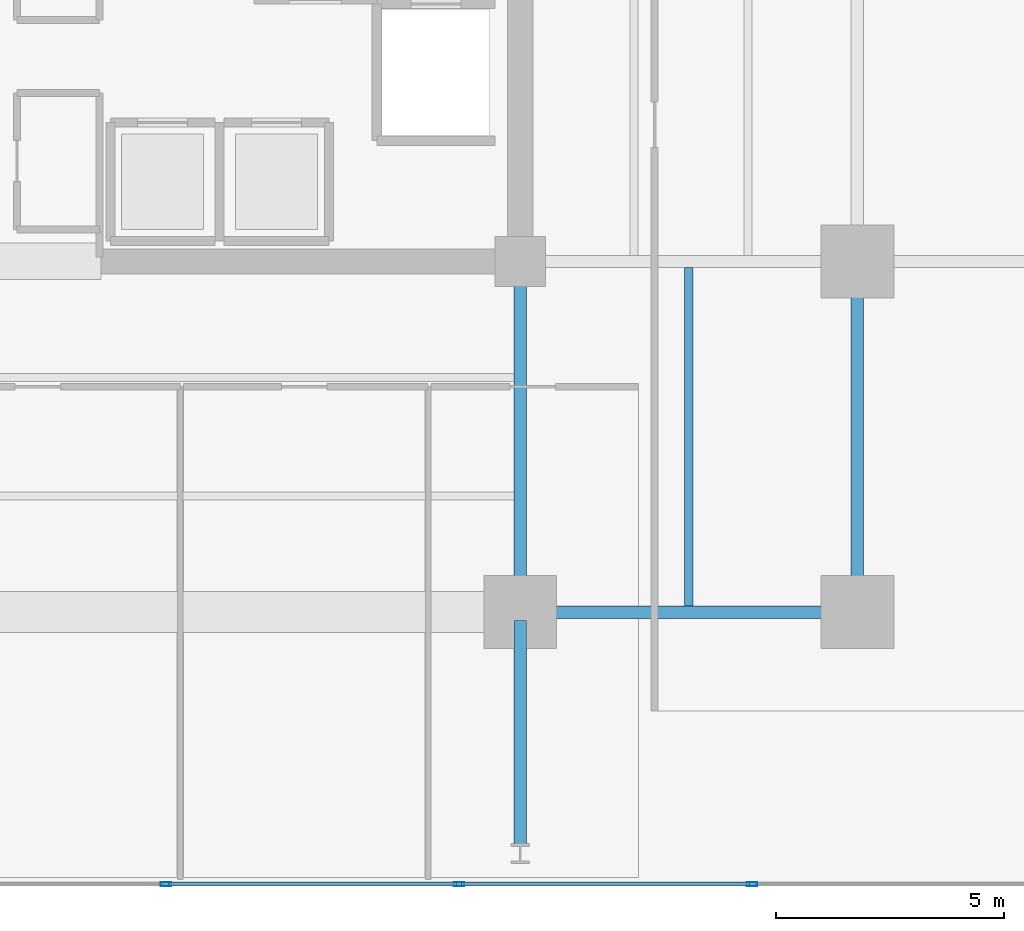
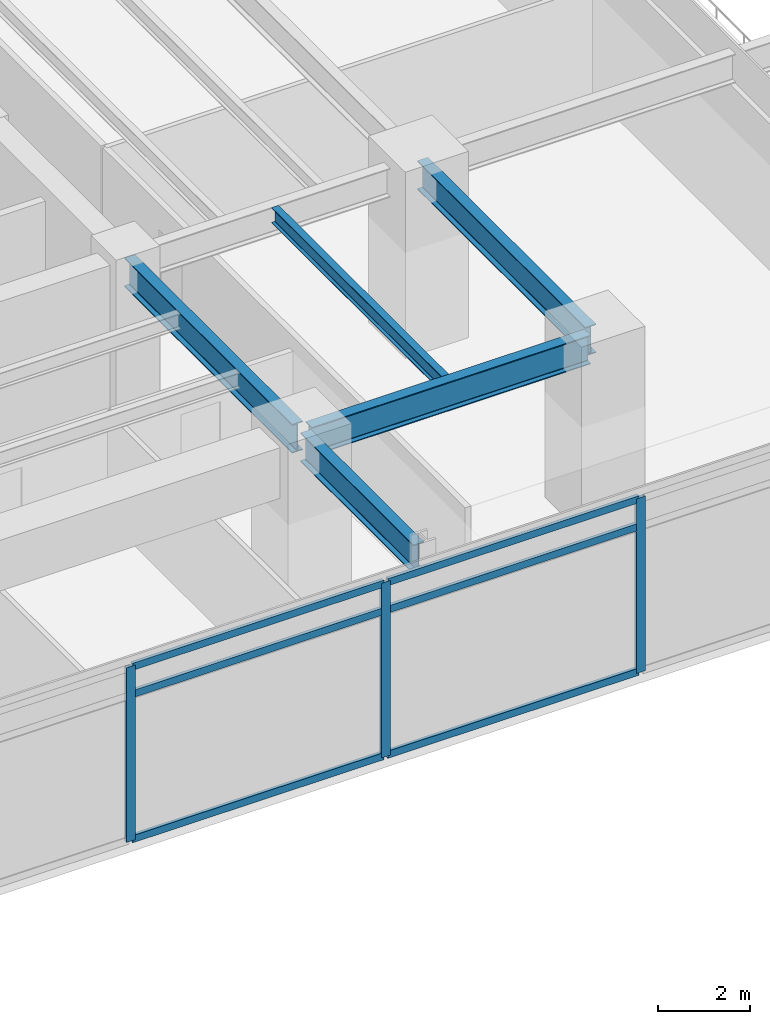
# One storey, part 5 of 24: 9 members, 5 beams, 1 element without a shape of its own.
"""IFC4 building model written with IfcOpenShell, lengths in metres."""

import ifcopenshell
import ifcopenshell.guid

model = None  # the IFC model being written
_history = None  # IfcOwnerHistory: only IFC2X3 demands one
_inside = {}  # id of a spatial element -> (the spatial element, [elements in it])
_under = {}  # id of a project, library or spatial element -> (it, [spatial elements below it])
_declared = {}  # id of a project -> (the project, [libraries it declares])
_typed = {}  # id of a type object -> (the type object, [elements of that type])
_made_of = {}  # id of a material, layer set ... -> (it, [elements and type objects made of it])


def new_model(schema):
    """Start an empty IFC model of exactly this schema.

    Asked for "IFC4X3", IfcOpenShell would pick the latest addendum, in which some entities
    have other attributes; the version numbers below select the first issue.
    IFC2X3 requires an IfcOwnerHistory on every rooted entity: one is made here for all.
    """
    global model, _history
    if schema == "IFC4X3":
        model = ifcopenshell.file(schema_version=(4, 3, 0, 0))
    else:
        model = ifcopenshell.file(schema=schema)
    _inside.clear()
    _under.clear()
    _declared.clear()
    _typed.clear()
    _made_of.clear()
    _history = None
    if model.schema == "IFC2X3":
        org = make("IfcOrganization", Name="unknown")
        user = make(
            "IfcPersonAndOrganization",
            ThePerson=make("IfcPerson", FamilyName="unknown"),
            TheOrganization=org,
        )
        app = make(
            "IfcApplication",
            ApplicationDeveloper=org,
            Version="unknown",
            ApplicationFullName="unknown",
            ApplicationIdentifier="unknown",
        )
        _history = make(
            "IfcOwnerHistory",
            OwningUser=user,
            OwningApplication=app,
            ChangeAction="ADDED",
            CreationDate=0,
        )
    return model


def make(cls, **values):
    """One entity of the class cls with the attributes given. An attribute that is None is left unset."""
    return model.create_entity(
        cls, **{name: value for name, value in values.items() if value is not None}
    )


def rooted(cls, **values):
    """An entity with a GlobalId (a new one), such as an element, a storey or a relation."""
    return make(cls, GlobalId=ifcopenshell.guid.new(), OwnerHistory=_history, **values)


def si_unit(unit_type, name, prefix=None):
    """IfcSIUnit, for example si_unit("LENGTHUNIT", "METRE", prefix="MILLI")."""
    return make("IfcSIUnit", UnitType=unit_type, Prefix=prefix, Name=name)


def assignment(units):
    """IfcUnitAssignment: the units of a project."""
    return None if units is None else make("IfcUnitAssignment", Units=units)


def point(xyz):
    """IfcCartesianPoint."""
    return None if xyz is None else make("IfcCartesianPoint", Coordinates=xyz)


def direction(xyz):
    """IfcDirection."""
    return None if xyz is None else make("IfcDirection", DirectionRatios=xyz)


def frame(location, z_axis=None, x_axis=None):
    """IfcAxis2Placement3D, a coordinate frame: its origin and axes. An axis left out is left unset."""
    return make(
        "IfcAxis2Placement3D",
        Location=point(location),
        Axis=direction(z_axis),
        RefDirection=direction(x_axis),
    )


def frame_2d(location, x_axis=None):
    """IfcAxis2Placement2D, a coordinate frame in the plane: its origin and x axis."""
    return make(
        "IfcAxis2Placement2D", Location=point(location), RefDirection=direction(x_axis)
    )


def origin():
    """The frame at (0, 0, 0) with its axes left unset."""
    return frame((0.0, 0.0, 0.0))


def origin_2d():
    """The frame at (0, 0) in the plane with its x axis left unset."""
    return frame_2d((0.0, 0.0))


def place(relative_to, where):
    """IfcLocalPlacement: puts the frame where relative to a parent placement (None: the world)."""
    return make(
        "IfcLocalPlacement", PlacementRelTo=relative_to, RelativePlacement=where
    )


def context(
    kind, dimensions, precision=None, world=None, true_north=None, identifier=None
):
    """IfcGeometricRepresentationContext, for example the 3D "Model" context."""
    return make(
        "IfcGeometricRepresentationContext",
        ContextIdentifier=identifier,
        ContextType=kind,
        CoordinateSpaceDimension=dimensions,
        Precision=precision,
        WorldCoordinateSystem=world,
        TrueNorth=true_north,
    )


def subcontext(parent, identifier, kind, view, scale=None):
    """IfcGeometricRepresentationSubContext, for example "Body" below "Model"."""
    return make(
        "IfcGeometricRepresentationSubContext",
        ContextIdentifier=identifier,
        ContextType=kind,
        ParentContext=parent,
        TargetScale=scale,
        TargetView=view,
    )


def project(units=None, contexts=None):
    """IfcProject with its units and contexts."""
    return rooted(
        "IfcProject",
        Name="project",
        RepresentationContexts=contexts,
        UnitsInContext=assignment(units),
    )


def spatial(cls, under=None, at=None, **own):
    """A site, building, storey or space (cls), placed at a placement, below another one or the project."""
    s = rooted(cls, ObjectPlacement=at, **own)
    if under is not None:
        _under.setdefault(under.id(), (under, []))[1].append(s)
    return s


def profile(cls, at=None, kind="AREA", **sizes):
    """A parametric profile (cls). Its sizes go by their IFC names, for example OverallWidth=200.0."""
    return make(cls, ProfileType=kind, Position=at, **sizes)


def hollow_rectangle(**sizes):
    """IfcRectangleHollowProfileDef."""
    return profile("IfcRectangleHollowProfileDef", **sizes)


def i_section(**sizes):
    """IfcIShapeProfileDef."""
    return profile("IfcIShapeProfileDef", **sizes)


def extrude(swept, where, along, depth):
    """IfcExtrudedAreaSolid: the profile swept, set in the frame where, extruded along a direction by depth."""
    return make(
        "IfcExtrudedAreaSolid",
        SweptArea=swept,
        Position=where,
        ExtrudedDirection=direction(along),
        Depth=depth,
    )


def shape(context_of_items, identifier, shape_type, items):
    """IfcShapeRepresentation: the items that make up one representation, for example the "Body"."""
    return make(
        "IfcShapeRepresentation",
        ContextOfItems=context_of_items,
        RepresentationIdentifier=identifier,
        RepresentationType=shape_type,
        Items=items,
    )


def material(Name=None, Category=None):
    """IfcMaterial."""
    return make("IfcMaterial", Name=Name, Category=Category)


def material_profile(
    of_material, cross_section, Name=None, Category=None, Priority=None
):
    """IfcMaterialProfile: a cross section and its material."""
    return make(
        "IfcMaterialProfile",
        Name=Name,
        Material=of_material,
        Profile=cross_section,
        Priority=Priority,
        Category=Category,
    )


def profile_set(profiles, Name=None, composite=None):
    """IfcMaterialProfileSet."""
    return make(
        "IfcMaterialProfileSet",
        Name=Name,
        MaterialProfiles=profiles,
        CompositeProfile=composite,
    )


def made_of(thing, what):
    """Note that an element or type object is made of a material, layer set ...; save() writes the relation."""
    if what is not None:
        _made_of.setdefault(what.id(), (what, []))[1].append(thing)
    return thing


def type_object(cls, material=None, **own):
    """A type object (cls), such as IfcWallType, which elements share."""
    return made_of(rooted(cls, **own), material)


def element(
    cls,
    number,
    at=None,
    inside=None,
    cuts=None,
    type_object=None,
    material=None,
    context=None,
    identifier="Body",
    shape_type=None,
    held_by="IfcProductDefinitionShape",
    body=None,
    shapes=None,
    **own,
):
    """One element of the class cls, such as IfcWall. Its Tag is "e" and its number.

    at: its placement. inside: the storey or other place that contains it. cuts: it is an
    opening in that element (IfcRelVoidsElement). A single representation is given by context,
    identifier, shape_type and body (its items); several are given by shapes. held_by: the class
    of the entity that holds the representations. save() writes the other relations.
    """
    e = rooted(cls, Tag="e%d" % number, ObjectPlacement=at, **own)
    if body is not None:
        shapes = [shape(context, identifier, shape_type, body)]
    if shapes is not None:
        e.Representation = make(held_by, Representations=shapes)
    if inside is not None:
        _inside.setdefault(inside.id(), (inside, []))[1].append(e)
    if cuts is not None:
        rooted(
            "IfcRelVoidsElement", RelatingBuildingElement=cuts, RelatedOpeningElement=e
        )
    if type_object is not None:
        _typed.setdefault(type_object.id(), (type_object, []))[1].append(e)
    return made_of(e, material)


def aggregate(whole, parts):
    """IfcRelAggregates: a whole, such as a stair, and the parts it consists of."""
    return rooted("IfcRelAggregates", RelatingObject=whole, RelatedObjects=parts)


def save(model, path):
    """Write the relations noted so far, then the file.

    IfcRelAggregates (storeys below a building ...), IfcRelContainedInSpatialStructure (elements
    in a storey), IfcRelDefinesByType, IfcRelAssociatesMaterial and IfcRelDeclares: one each for
    every whole, place, type object, material and project.
    """
    for whole, parts in _under.values():
        aggregate(whole, parts)
    for where, things in _inside.values():
        rooted(
            "IfcRelContainedInSpatialStructure",
            RelatedElements=things,
            RelatingStructure=where,
        )
    for kind, things in _typed.values():
        rooted("IfcRelDefinesByType", RelatedObjects=things, RelatingType=kind)
    for what, things in _made_of.values():
        rooted("IfcRelAssociatesMaterial", RelatedObjects=things, RelatingMaterial=what)
    for by, libraries in _declared.values():
        rooted("IfcRelDeclares", RelatingContext=by, RelatedDefinitions=libraries)
    model.write(path)


model = new_model("IFC4")

# Units and contexts
model_context = context("Model", 3, precision=1e-05, world=origin(), true_north=direction((0.0, 1.0)))
body_context = subcontext(model_context, "Body", "Model", "MODEL_VIEW")
ifc_project = project(units=[si_unit("LENGTHUNIT", "METRE"), si_unit("AREAUNIT", "SQUARE_METRE"), si_unit("VOLUMEUNIT", "CUBIC_METRE"), si_unit("PLANEANGLEUNIT", "RADIAN"), si_unit("MASSUNIT", "GRAM", prefix="KILO")], contexts=[model_context])

# Site, building, storey
site_placement = place(None, origin())
site = spatial("IfcSite", under=ifc_project, at=site_placement, CompositionType="ELEMENT")
building_placement = place(site_placement, origin())
building = spatial("IfcBuilding", under=site, at=building_placement, Name="Kovane Verandah Tower", CompositionType="ELEMENT")
storey_placement = place(building_placement, frame((0.0, 0.0, 118.39990234375)))
storey = spatial("IfcBuildingStorey", under=building, at=storey_placement, Name="L27", CompositionType="ELEMENT", Elevation=118.39990234375)

# Beams
ifc_material_1 = material(Name="Steel S355", Category="steel")
ifc_material_profile_1 = material_profile(ifc_material_1, i_section(OverallWidth=0.26806640625, OverallDepth=0.769775390625, WebThickness=0.015625, FlangeThickness=0.025390625, FilletRadius=0.0166015625, at=origin_2d()), Name="UB762x267x197")
ifc_profile_set_1 = profile_set([ifc_material_profile_1], Name="Steel S355")
beam_type_1 = type_object("IfcBeamType", Name="BM-UB762x197", PredefinedType="BEAM", material=ifc_profile_set_1)
beam_1_placement = place(storey_placement, frame((51.179931640625, 10.800048828125, 4.315185546875), z_axis=(1.0, 0.0, 0.0), x_axis=(0.0, 1.0, 0.0)))
element("IfcBeam", 1, at=beam_1_placement, inside=storey, type_object=beam_type_1, Name="L27 Primary Tower Girder G-RS3", PredefinedType="BEAM", context=body_context, shape_type="SweptSolid", body=[
    extrude(i_section(OverallWidth=0.26806640625, OverallDepth=0.769775390625, WebThickness=0.015625, FlangeThickness=0.025390625, FilletRadius=0.0166015625, at=origin_2d()), origin(), (0.0, 0.0, 1.0), 7.0400390625),
])
for number, where, z_axis, x_axis, name in (
    (2, (58.39990234375, 10.97998046875, 4.315185546875), (0.0, 1.0, 0.0), (-1.0, 0.0, 0.0), "L27 Primary Tower Girder G-RE1"),
    (3, (51.0, 18.320068359375, 4.315185546875), (0.0, -1.0, 0.0), (1.0, 0.0, 0.0), "L27 Primary Tower Girder G-S2"),
):
    element("IfcBeam", number, at=place(storey_placement, frame(where, z_axis=z_axis, x_axis=x_axis)), inside=storey, type_object=beam_type_1, Name=name, PredefinedType="BEAM", context=body_context, shape_type="SweptSolid", body=[
        extrude(i_section(OverallWidth=0.26806640625, OverallDepth=0.769775390625, WebThickness=0.015625, FlangeThickness=0.025390625, FilletRadius=0.0166015625, at=origin_2d()), origin(), (0.0, 0.0, 1.0), 7.340087890625),
    ])
beam_2_placement = place(storey_placement, frame((51.0, 10.6201171875, 4.315185546875), z_axis=(0.0, -1.0, 0.0), x_axis=(1.0, 0.0, 0.0)))
element("IfcBeam", 4, at=beam_2_placement, inside=storey, type_object=beam_type_1, Name="L27 Primary Tower Girder G-VS2", PredefinedType="BEAM", context=body_context, shape_type="SweptSolid", body=[
    extrude(i_section(OverallWidth=0.26806640625, OverallDepth=0.769775390625, WebThickness=0.015625, FlangeThickness=0.025390625, FilletRadius=0.0166015625, at=origin_2d()), origin(), (0.0, 0.0, 1.0), 4.940185546875),
])

# Curtain wall, members
ifc_material_2 = material(Name="Champagne Anodised Aluminium Frame with Low-E Clear Laminated Glass", Category="aluminium")
curtain_wall_type = type_object("IfcCurtainWallType", Name="CW-SYS-03-MID", PredefinedType="NOTDEFINED", material=ifc_material_2)
curtain_wall_placement = place(storey_placement, origin())
curtain_wall = element("IfcCurtainWall", 5, at=curtain_wall_placement, inside=storey, type_object=curtain_wall_type, Name="L27 S Unitised Curtain Wall", PredefinedType="NOTDEFINED")
ifc_material_3 = material(Name="Champagne Anodised Aluminium 6063-T6", Category="aluminium")
ifc_material_profile_2 = material_profile(ifc_material_3, hollow_rectangle(XDim=0.0849609375, YDim=0.22998046875, WallThickness=0.00390625, at=origin_2d()), Name="AL85x230x4")
ifc_profile_set_2 = profile_set([ifc_material_profile_2], Name="Champagne Anodised Aluminium 6063-T6")
member_type_1 = type_object("IfcMemberType", Name="CW-MUL-85x230", PredefinedType="MULLION", material=ifc_profile_set_2)
member_1_placement = place(storey_placement, frame((43.218505859375, 4.8291015625, 0.02001953125), z_axis=(0.0, 0.0, 1.0), x_axis=(0.0, -1.0, 0.0)))
member_1 = element("IfcMember", 6, at=member_1_placement, type_object=member_type_1, Name="L27 S Unitised Curtain Wall Mullion 5", PredefinedType="MULLION", context=body_context, shape_type="SweptSolid", body=[
    extrude(hollow_rectangle(XDim=0.0849609375, YDim=0.22998046875, WallThickness=0.00390625, at=origin_2d()), origin(), (0.0, 0.0, 1.0), 4.66015625),
])
member_2_placement = place(storey_placement, frame((49.65576171875, 4.8291015625, 0.02001953125), z_axis=(0.0, 0.0, 1.0), x_axis=(0.0, -1.0, 0.0)))
member_2 = element("IfcMember", 7, at=member_2_placement, type_object=member_type_1, Name="L27 S Unitised Curtain Wall Mullion 6", PredefinedType="MULLION", context=body_context, shape_type="SweptSolid", body=[
    extrude(hollow_rectangle(XDim=0.0849609375, YDim=0.22998046875, WallThickness=0.00390625, at=origin_2d()), origin(), (0.0, 0.0, 1.0), 4.66015625),
])
member_3_placement = place(storey_placement, frame((56.0927734375, 4.8291015625, 0.02001953125), z_axis=(0.0, 0.0, 1.0), x_axis=(0.0, -1.0, 0.0)))
member_3 = element("IfcMember", 8, at=member_3_placement, type_object=member_type_1, Name="L27 S Unitised Curtain Wall Mullion 7", PredefinedType="MULLION", context=body_context, shape_type="SweptSolid", body=[
    extrude(hollow_rectangle(XDim=0.0849609375, YDim=0.22998046875, WallThickness=0.00390625, at=origin_2d()), origin(), (0.0, 0.0, 1.0), 4.66015625),
])
ifc_material_profile_3 = material_profile(ifc_material_3, hollow_rectangle(XDim=0.0849609375, YDim=0.18994140625, WallThickness=0.00390625, at=origin_2d()), Name="AL85x190x4")
ifc_profile_set_3 = profile_set([ifc_material_profile_3], Name="Champagne Anodised Aluminium 6063-T6")
member_type_2 = type_object("IfcMemberType", Name="CW-TRN-85x190", PredefinedType="USERDEFINED", material=ifc_profile_set_3)
member_4_placement = place(storey_placement, frame((43.2685546875, 4.8291015625, 0.050048828125), z_axis=(1.0, 0.0, 0.0), x_axis=(0.0, 1.0, 0.0)))
member_4 = element("IfcMember", 9, at=member_4_placement, type_object=member_type_2, Name="L27 S Unitised Curtain Wall Transom TB Bay 5", ObjectType="TRANSOM", PredefinedType="USERDEFINED", context=body_context, shape_type="SweptSolid", body=[
    extrude(hollow_rectangle(XDim=0.0849609375, YDim=0.18994140625, WallThickness=0.00390625, at=origin_2d()), origin(), (0.0, 0.0, 1.0), 6.337158203125),
])
member_5_placement = place(storey_placement, frame((43.2685546875, 4.8291015625, 3.920166015625), z_axis=(1.0, 0.0, 0.0), x_axis=(0.0, 1.0, 0.0)))
member_5 = element("IfcMember", 10, at=member_5_placement, type_object=member_type_2, Name="L27 S Unitised Curtain Wall Transom TM Bay 5", ObjectType="TRANSOM", PredefinedType="USERDEFINED", context=body_context, shape_type="SweptSolid", body=[
    extrude(hollow_rectangle(XDim=0.0849609375, YDim=0.18994140625, WallThickness=0.00390625, at=origin_2d()), origin(), (0.0, 0.0, 1.0), 6.337158203125),
])
member_6_placement = place(storey_placement, frame((43.2685546875, 4.8291015625, 4.650146484375), z_axis=(1.0, 0.0, 0.0), x_axis=(0.0, 1.0, 0.0)))
member_6 = element("IfcMember", 11, at=member_6_placement, type_object=member_type_2, Name="L27 S Unitised Curtain Wall Transom TT Bay 5", ObjectType="TRANSOM", PredefinedType="USERDEFINED", context=body_context, shape_type="SweptSolid", body=[
    extrude(hollow_rectangle(XDim=0.0849609375, YDim=0.18994140625, WallThickness=0.00390625, at=origin_2d()), origin(), (0.0, 0.0, 1.0), 6.337158203125),
])
member_7_placement = place(storey_placement, frame((49.705810546875, 4.8291015625, 0.050048828125), z_axis=(1.0, 0.0, 0.0), x_axis=(0.0, 1.0, 0.0)))
member_7 = element("IfcMember", 12, at=member_7_placement, type_object=member_type_2, Name="L27 S Unitised Curtain Wall Transom TB Bay 6", ObjectType="TRANSOM", PredefinedType="USERDEFINED", context=body_context, shape_type="SweptSolid", body=[
    extrude(hollow_rectangle(XDim=0.0849609375, YDim=0.18994140625, WallThickness=0.00390625, at=origin_2d()), origin(), (0.0, 0.0, 1.0), 6.3369140625),
])
member_8_placement = place(storey_placement, frame((49.705810546875, 4.8291015625, 3.920166015625), z_axis=(1.0, 0.0, 0.0), x_axis=(0.0, 1.0, 0.0)))
member_8 = element("IfcMember", 13, at=member_8_placement, type_object=member_type_2, Name="L27 S Unitised Curtain Wall Transom TM Bay 6", ObjectType="TRANSOM", PredefinedType="USERDEFINED", context=body_context, shape_type="SweptSolid", body=[
    extrude(hollow_rectangle(XDim=0.0849609375, YDim=0.18994140625, WallThickness=0.00390625, at=origin_2d()), origin(), (0.0, 0.0, 1.0), 6.3369140625),
])
member_9_placement = place(storey_placement, frame((49.705810546875, 4.8291015625, 4.650146484375), z_axis=(1.0, 0.0, 0.0), x_axis=(0.0, 1.0, 0.0)))
member_9 = element("IfcMember", 14, at=member_9_placement, type_object=member_type_2, Name="L27 S Unitised Curtain Wall Transom TT Bay 6", ObjectType="TRANSOM", PredefinedType="USERDEFINED", context=body_context, shape_type="SweptSolid", body=[
    extrude(hollow_rectangle(XDim=0.0849609375, YDim=0.18994140625, WallThickness=0.00390625, at=origin_2d()), origin(), (0.0, 0.0, 1.0), 6.3369140625),
])
aggregate(curtain_wall, [member_1, member_2, member_3, member_4, member_5, member_6, member_7, member_8, member_9])

# Beam
ifc_material_profile_4 = material_profile(ifc_material_1, i_section(OverallWidth=0.179443359375, OverallDepth=0.412841796875, WebThickness=0.009521484375, FlangeThickness=0.01611328125, FilletRadius=0.01025390625, at=origin_2d()), Name="UB406x178x74")
ifc_profile_set_4 = profile_set([ifc_material_profile_4], Name="Steel S355")
beam_type_2 = type_object("IfcBeamType", Name="JST-UB406x74", PredefinedType="JOIST", material=ifc_profile_set_4)
beam_3_placement = place(storey_placement, frame((54.699951171875, 10.931884765625, 4.49365234375), z_axis=(0.0, 1.0, 0.0), x_axis=(-1.0, 0.0, 0.0)))
element("IfcBeam", 15, at=beam_3_placement, inside=storey, type_object=beam_type_2, Name="L27 Secondary Composite Joist J-SE1", PredefinedType="JOIST", context=body_context, shape_type="SweptSolid", body=[
    extrude(i_section(OverallWidth=0.179443359375, OverallDepth=0.412841796875, WebThickness=0.009521484375, FlangeThickness=0.01611328125, FilletRadius=0.01025390625, at=origin_2d()), origin(), (0.0, 0.0, 1.0), 7.43603515625),
])

save(model, "model.ifc")
